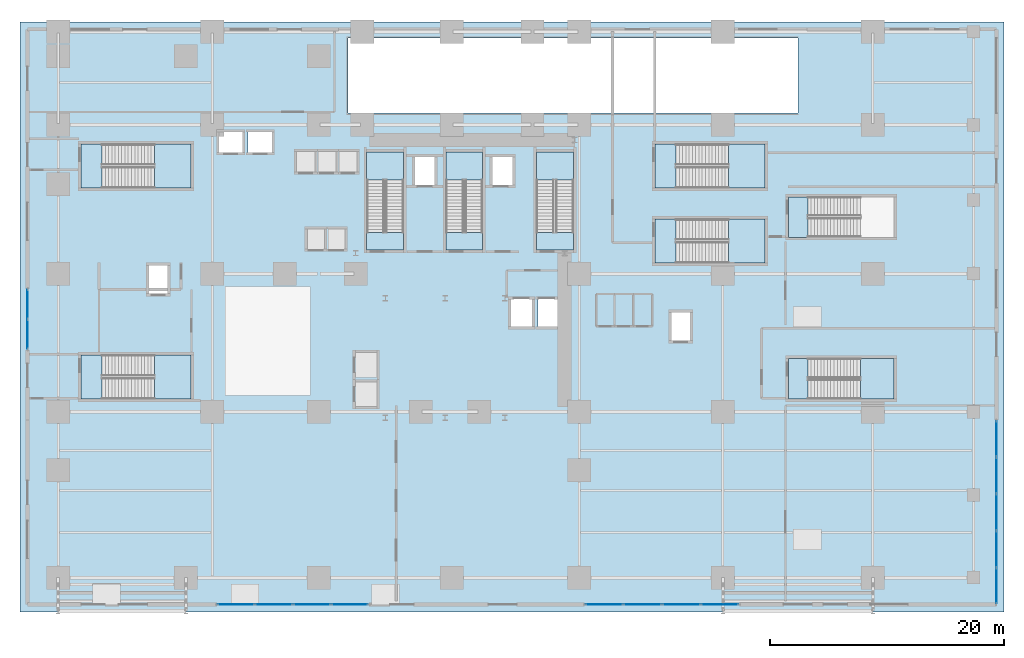
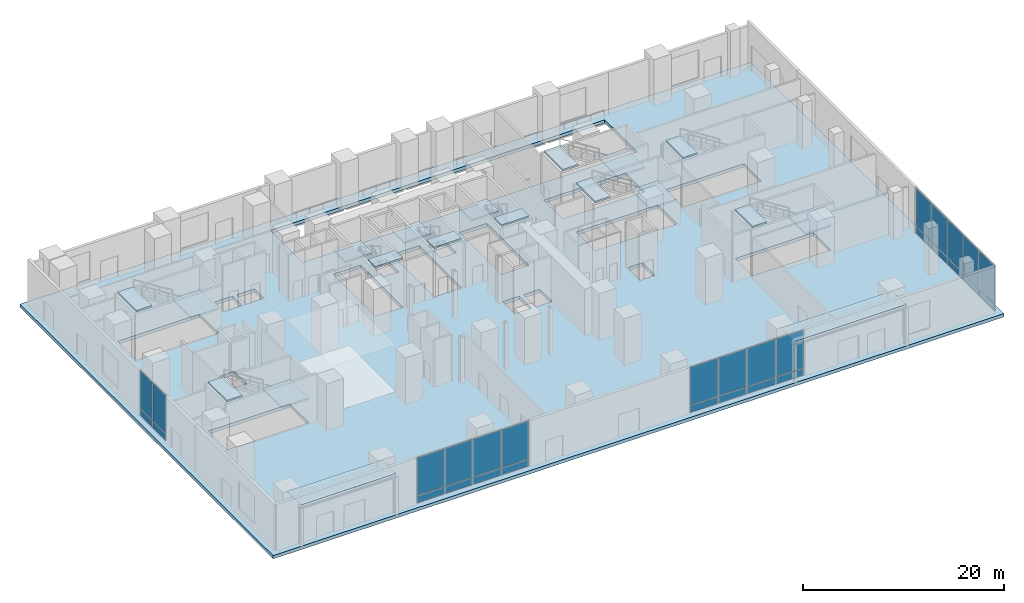
# One storey, part 9 of 25: 32 plates, 18 slabs, 13 elements without a shape of their own.
"""IFC4 building model written with IfcOpenShell, lengths in metres."""

from ifc_helpers import new_model, si_unit, direction, frame, origin, origin_2d, place, context, subcontext, project, spatial, polyline, rectangle, outline, extrude, source, transform, mapped, material, layer, layer_set, type_object, element, aggregate, save


model = new_model("IFC4")

# Units and contexts
model_context = context("Model", 3, precision=1e-05, world=origin(), true_north=direction((0.0, 1.0)))
body_context = subcontext(model_context, "Body", "Model", "MODEL_VIEW")
ifc_project = project(units=[si_unit("LENGTHUNIT", "METRE"), si_unit("AREAUNIT", "SQUARE_METRE"), si_unit("VOLUMEUNIT", "CUBIC_METRE"), si_unit("PLANEANGLEUNIT", "RADIAN"), si_unit("MASSUNIT", "GRAM", prefix="KILO")], contexts=[model_context])

# Site, building, storey
site_placement = place(None, origin())
site = spatial("IfcSite", under=ifc_project, at=site_placement, CompositionType="ELEMENT")
building_placement = place(site_placement, origin())
building = spatial("IfcBuilding", under=site, at=building_placement, Name="Vardaveli Station Tower", CompositionType="ELEMENT")
storey_placement = place(building_placement, origin())
storey = spatial("IfcBuildingStorey", under=building, at=storey_placement, Name="L01", CompositionType="ELEMENT", Elevation=0.0)

# Stair, slabs
ifc_material_1 = material(Name="Concrete C40/50", Category="concrete")
stair_type_1 = type_object("IfcStairType", Name="STR-CORE-1500", PredefinedType="HALF_TURN_STAIR", material=ifc_material_1)
stair_1_placement = place(storey_placement, origin())
stair_1 = element("IfcStair", 1, at=stair_1_placement, inside=storey, type_object=stair_type_1, Name="L01 ST-1", PredefinedType="HALF_TURN_STAIR")
ifc_layer_1 = layer(ifc_material_1, 0.199951171875, Name="Concrete C40/50")
ifc_layer_set_1 = layer_set([ifc_layer_1], Name="Concrete C40/50")
slab_type_1 = type_object("IfcSlabType", Name="SLB-LAND-200", PredefinedType="LANDING", material=ifc_layer_set_1)
slab_1_placement = place(storey_placement, frame((0.0, 0.0, 2.800048828125)))
slab_1 = element("IfcSlab", 2, at=slab_1_placement, type_object=slab_type_1, Name="ST-1 landing 1", PredefinedType="LANDING", context=body_context, shape_type="SweptSolid", body=[
    extrude(outline(polyline([(32.75, 36.8798828125), (32.75, 39.300048828125), (29.60009765625, 39.300048828125), (29.60009765625, 36.8798828125), (32.75, 36.8798828125)])), origin(), (0.0, 0.0, 1.0), 0.199951171875),
])
slab_2_placement = place(storey_placement, frame((0.0, 0.0, 5.800048828125)))
slab_2 = element("IfcSlab", 3, at=slab_2_placement, type_object=slab_type_1, Name="ST-1 landing 2", PredefinedType="LANDING", context=body_context, shape_type="SweptSolid", body=[
    extrude(outline(polyline([(32.75, 30.89990234375), (32.75, 32.39990234375), (29.60009765625, 32.39990234375), (29.60009765625, 30.89990234375), (32.75, 30.89990234375)])), origin(), (0.0, 0.0, 1.0), 0.199951171875),
])
aggregate(stair_1, [slab_1, slab_2])

stair_2_placement = place(storey_placement, origin())
stair_2 = element("IfcStair", 4, at=stair_2_placement, inside=storey, type_object=stair_type_1, Name="L01 ST-2", PredefinedType="HALF_TURN_STAIR")
slab_3_placement = place(storey_placement, frame((0.0, 0.0, 2.800048828125)))
slab_3 = element("IfcSlab", 5, at=slab_3_placement, type_object=slab_type_1, Name="ST-2 landing 1", PredefinedType="LANDING", context=body_context, shape_type="SweptSolid", body=[
    extrude(outline(polyline([(39.5, 36.8798828125), (39.5, 39.300048828125), (36.35009765625, 39.300048828125), (36.35009765625, 36.8798828125), (39.5, 36.8798828125)])), origin(), (0.0, 0.0, 1.0), 0.199951171875),
])
slab_4_placement = place(storey_placement, frame((0.0, 0.0, 5.800048828125)))
slab_4 = element("IfcSlab", 6, at=slab_4_placement, type_object=slab_type_1, Name="ST-2 landing 2", PredefinedType="LANDING", context=body_context, shape_type="SweptSolid", body=[
    extrude(outline(polyline([(39.5, 30.89990234375), (39.5, 32.39990234375), (36.35009765625, 32.39990234375), (36.35009765625, 30.89990234375), (39.5, 30.89990234375)])), origin(), (0.0, 0.0, 1.0), 0.199951171875),
])
aggregate(stair_2, [slab_3, slab_4])

stair_3_placement = place(storey_placement, origin())
stair_3 = element("IfcStair", 7, at=stair_3_placement, inside=storey, type_object=stair_type_1, Name="L01 ST-3", PredefinedType="HALF_TURN_STAIR")
slab_5_placement = place(storey_placement, frame((0.0, 0.0, 2.800048828125)))
slab_5 = element("IfcSlab", 8, at=slab_5_placement, type_object=slab_type_1, Name="ST-3 landing 1", PredefinedType="LANDING", context=body_context, shape_type="SweptSolid", body=[
    extrude(outline(polyline([(47.25, 36.8798828125), (47.25, 39.300048828125), (44.10009765625, 39.300048828125), (44.10009765625, 36.8798828125), (47.25, 36.8798828125)])), origin(), (0.0, 0.0, 1.0), 0.199951171875),
])
slab_6_placement = place(storey_placement, frame((0.0, 0.0, 5.800048828125)))
slab_6 = element("IfcSlab", 9, at=slab_6_placement, type_object=slab_type_1, Name="ST-3 landing 2", PredefinedType="LANDING", context=body_context, shape_type="SweptSolid", body=[
    extrude(outline(polyline([(47.25, 30.89990234375), (47.25, 32.39990234375), (44.10009765625, 32.39990234375), (44.10009765625, 30.89990234375), (47.25, 30.89990234375)])), origin(), (0.0, 0.0, 1.0), 0.199951171875),
])
aggregate(stair_3, [slab_5, slab_6])

stair_type_2 = type_object("IfcStairType", Name="STR-POD-1800", PredefinedType="HALF_TURN_STAIR", material=ifc_material_1)
stair_4_placement = place(storey_placement, origin())
stair_4 = element("IfcStair", 10, at=stair_4_placement, inside=storey, type_object=stair_type_2, Name="L01 ST-S1", PredefinedType="HALF_TURN_STAIR")
slab_7_placement = place(storey_placement, frame((0.0, 0.0, 2.800048828125)))
slab_7 = element("IfcSlab", 11, at=slab_7_placement, type_object=slab_type_1, Name="ST-S1 landing 1", PredefinedType="LANDING", context=body_context, shape_type="SweptSolid", body=[
    extrude(outline(polyline([(11.47998046875, 18.199951171875), (14.60009765625, 18.199951171875), (14.60009765625, 21.949951171875), (11.47998046875, 21.949951171875), (11.47998046875, 18.199951171875)])), origin(), (0.0, 0.0, 1.0), 0.199951171875),
])
slab_8_placement = place(storey_placement, frame((0.0, 0.0, 5.800048828125)))
slab_8 = element("IfcSlab", 12, at=slab_8_placement, type_object=slab_type_1, Name="ST-S1 landing 2", PredefinedType="LANDING", context=body_context, shape_type="SweptSolid", body=[
    extrude(outline(polyline([(5.199951171875, 18.199951171875), (7.0, 18.199951171875), (7.0, 21.949951171875), (5.199951171875, 21.949951171875), (5.199951171875, 18.199951171875)])), origin(), (0.0, 0.0, 1.0), 0.199951171875),
])
aggregate(stair_4, [slab_7, slab_8])

stair_5_placement = place(storey_placement, origin())
stair_5 = element("IfcStair", 13, at=stair_5_placement, inside=storey, type_object=stair_type_2, Name="L01 ST-S2", PredefinedType="HALF_TURN_STAIR")
slab_9_placement = place(storey_placement, frame((0.0, 0.0, 2.800048828125)))
slab_9 = element("IfcSlab", 14, at=slab_9_placement, type_object=slab_type_1, Name="ST-S2 landing 1", PredefinedType="LANDING", context=body_context, shape_type="SweptSolid", body=[
    extrude(outline(polyline([(60.47998046875, 29.800048828125), (63.60009765625, 29.800048828125), (63.60009765625, 33.550048828125), (60.47998046875, 33.550048828125), (60.47998046875, 29.800048828125)])), origin(), (0.0, 0.0, 1.0), 0.199951171875),
])
slab_10_placement = place(storey_placement, frame((0.0, 0.0, 5.800048828125)))
slab_10 = element("IfcSlab", 15, at=slab_10_placement, type_object=slab_type_1, Name="ST-S2 landing 2", PredefinedType="LANDING", context=body_context, shape_type="SweptSolid", body=[
    extrude(outline(polyline([(54.199951171875, 29.800048828125), (56.0, 29.800048828125), (56.0, 33.550048828125), (54.199951171875, 33.550048828125), (54.199951171875, 29.800048828125)])), origin(), (0.0, 0.0, 1.0), 0.199951171875),
])
aggregate(stair_5, [slab_9, slab_10])

stair_6_placement = place(storey_placement, origin())
stair_6 = element("IfcStair", 16, at=stair_6_placement, inside=storey, type_object=stair_type_2, Name="L01 ST-P1", PredefinedType="HALF_TURN_STAIR")
slab_11_placement = place(storey_placement, frame((0.0, 0.0, 2.800048828125)))
slab_11 = element("IfcSlab", 17, at=slab_11_placement, type_object=slab_type_1, Name="ST-P1 landing 1", PredefinedType="LANDING", context=body_context, shape_type="SweptSolid", body=[
    extrude(outline(polyline([(11.47998046875, 36.199951171875), (14.60009765625, 36.199951171875), (14.60009765625, 39.949951171875), (11.47998046875, 39.949951171875), (11.47998046875, 36.199951171875)])), origin(), (0.0, 0.0, 1.0), 0.199951171875),
])
slab_12_placement = place(storey_placement, frame((0.0, 0.0, 5.800048828125)))
slab_12 = element("IfcSlab", 18, at=slab_12_placement, type_object=slab_type_1, Name="ST-P1 landing 2", PredefinedType="LANDING", context=body_context, shape_type="SweptSolid", body=[
    extrude(outline(polyline([(5.199951171875, 36.199951171875), (7.0, 36.199951171875), (7.0, 39.949951171875), (5.199951171875, 39.949951171875), (5.199951171875, 36.199951171875)])), origin(), (0.0, 0.0, 1.0), 0.199951171875),
])
aggregate(stair_6, [slab_11, slab_12])

stair_7_placement = place(storey_placement, origin())
stair_7 = element("IfcStair", 19, at=stair_7_placement, inside=storey, type_object=stair_type_2, Name="L01 ST-P2", PredefinedType="HALF_TURN_STAIR")
slab_13_placement = place(storey_placement, frame((0.0, 0.0, 2.800048828125)))
slab_13 = element("IfcSlab", 20, at=slab_13_placement, type_object=slab_type_1, Name="ST-P2 landing 1", PredefinedType="LANDING", context=body_context, shape_type="SweptSolid", body=[
    extrude(outline(polyline([(60.47998046875, 36.199951171875), (63.60009765625, 36.199951171875), (63.60009765625, 39.949951171875), (60.47998046875, 39.949951171875), (60.47998046875, 36.199951171875)])), origin(), (0.0, 0.0, 1.0), 0.199951171875),
])
slab_14_placement = place(storey_placement, frame((0.0, 0.0, 5.800048828125)))
slab_14 = element("IfcSlab", 21, at=slab_14_placement, type_object=slab_type_1, Name="ST-P2 landing 2", PredefinedType="LANDING", context=body_context, shape_type="SweptSolid", body=[
    extrude(outline(polyline([(54.199951171875, 36.199951171875), (56.0, 36.199951171875), (56.0, 39.949951171875), (54.199951171875, 39.949951171875), (54.199951171875, 36.199951171875)])), origin(), (0.0, 0.0, 1.0), 0.199951171875),
])
aggregate(stair_7, [slab_13, slab_14])

ifc_material_2 = material(Name="Structural steel S355J2", Category="steel")
stair_type_3 = type_object("IfcStairType", Name="STR-FEAT-1650", PredefinedType="STRAIGHT_RUN_STAIR", material=ifc_material_2)
stair_8_placement = place(storey_placement, origin())
stair_8 = element("IfcStair", 22, at=stair_8_placement, inside=storey, type_object=stair_type_3, Name="L01 ST-C1", PredefinedType="HALF_TURN_STAIR")
slab_15_placement = place(storey_placement, frame((0.0, 0.0, 2.800048828125)))
slab_15 = element("IfcSlab", 23, at=slab_15_placement, type_object=slab_type_1, Name="ST-C1 landing 1", PredefinedType="LANDING", context=body_context, shape_type="SweptSolid", body=[
    extrude(outline(polyline([(71.72998046875, 18.199951171875), (74.60009765625, 18.199951171875), (74.60009765625, 21.64990234375), (71.72998046875, 21.64990234375), (71.72998046875, 18.199951171875)])), origin(), (0.0, 0.0, 1.0), 0.199951171875),
])
slab_16_placement = place(storey_placement, frame((0.0, 0.0, 5.800048828125)))
slab_16 = element("IfcSlab", 24, at=slab_16_placement, type_object=slab_type_1, Name="ST-C1 landing 2", PredefinedType="LANDING", context=body_context, shape_type="SweptSolid", body=[
    extrude(outline(polyline([(65.60009765625, 18.199951171875), (67.25, 18.199951171875), (67.25, 21.64990234375), (65.60009765625, 21.64990234375), (65.60009765625, 18.199951171875)])), origin(), (0.0, 0.0, 1.0), 0.199951171875),
])
aggregate(stair_8, [slab_15, slab_16])

# Stair, slab
stair_9_placement = place(storey_placement, origin())
stair_9 = element("IfcStair", 25, at=stair_9_placement, inside=storey, type_object=stair_type_3, Name="L01 ST-C2", PredefinedType="HALF_TURN_STAIR")
slab_17_placement = place(storey_placement, frame((0.0, 0.0, 5.800048828125)))
slab_17 = element("IfcSlab", 26, at=slab_17_placement, type_object=slab_type_1, Name="ST-C2 landing 2", PredefinedType="LANDING", context=body_context, shape_type="SweptSolid", body=[
    extrude(outline(polyline([(65.60009765625, 32.0), (67.25, 32.0), (67.25, 35.449951171875), (65.60009765625, 35.449951171875), (65.60009765625, 32.0)])), origin(), (0.0, 0.0, 1.0), 0.199951171875),
])
aggregate(stair_9, [slab_17])

# Slab
ifc_material_3 = material(Name="Concrete C50/60", Category="concrete")
ifc_layer_2 = layer(ifc_material_3, 0.39990234375, Name="Concrete C50/60")
ifc_layer_set_2 = layer_set([ifc_layer_2], Name="Concrete C50/60")
slab_type_2 = type_object("IfcSlabType", Name="SLB-TRANS-400", PredefinedType="FLOOR", material=ifc_layer_set_2)
slab_18_placement = place(storey_placement, frame((0.0, 0.0, -0.39990234375)))
element("IfcSlab", 27, at=slab_18_placement, inside=storey, type_object=slab_type_2, Name="SLB-L01-MAIN", PredefinedType="FLOOR", context=body_context, shape_type="SweptSolid", body=[
    extrude(outline(polyline([(0.0, 0.0), (84.0, 0.0), (84.0, 50.39990234375), (0.0, 50.39990234375), (0.0, 0.0)]), holes=[polyline([(32.75, 30.89990234375), (32.75, 39.300048828125), (29.60009765625, 39.300048828125), (29.60009765625, 30.89990234375), (32.75, 30.89990234375)]), polyline([(39.5, 30.89990234375), (39.5, 39.300048828125), (36.35009765625, 39.300048828125), (36.35009765625, 30.89990234375), (39.5, 30.89990234375)]), polyline([(47.25, 30.89990234375), (47.25, 39.300048828125), (44.10009765625, 39.300048828125), (44.10009765625, 30.89990234375), (47.25, 30.89990234375)]), polyline([(5.199951171875, 18.199951171875), (14.60009765625, 18.199951171875), (14.60009765625, 21.949951171875), (5.199951171875, 21.949951171875), (5.199951171875, 18.199951171875)]), polyline([(54.199951171875, 29.800048828125), (63.60009765625, 29.800048828125), (63.60009765625, 33.550048828125), (54.199951171875, 33.550048828125), (54.199951171875, 29.800048828125)]), polyline([(5.199951171875, 36.199951171875), (14.60009765625, 36.199951171875), (14.60009765625, 39.949951171875), (5.199951171875, 39.949951171875), (5.199951171875, 36.199951171875)]), polyline([(54.199951171875, 36.199951171875), (63.60009765625, 36.199951171875), (63.60009765625, 39.949951171875), (54.199951171875, 39.949951171875), (54.199951171875, 36.199951171875)]), polyline([(65.60009765625, 18.199951171875), (74.60009765625, 18.199951171875), (74.60009765625, 21.64990234375), (65.60009765625, 21.64990234375), (65.60009765625, 18.199951171875)]), polyline([(65.60009765625, 32.0), (74.60009765625, 32.0), (74.60009765625, 35.449951171875), (65.60009765625, 35.449951171875), (65.60009765625, 32.0)]), polyline([(10.9599609375, 27.159912109375), (12.639892578125, 27.159912109375), (12.639892578125, 29.639892578125), (10.9599609375, 29.639892578125), (10.9599609375, 27.159912109375)]), polyline([(55.56005859375, 23.159912109375), (57.239990234375, 23.159912109375), (57.239990234375, 25.639892578125), (55.56005859375, 25.639892578125), (55.56005859375, 23.159912109375)]), polyline([(16.9599609375, 39.18505859375), (19.0400390625, 39.18505859375), (19.0400390625, 41.014892578125), (16.9599609375, 41.014892578125), (16.9599609375, 39.18505859375)]), polyline([(19.4599609375, 39.18505859375), (21.5400390625, 39.18505859375), (21.5400390625, 41.014892578125), (19.4599609375, 41.014892578125), (19.4599609375, 39.18505859375)]), polyline([(33.659912109375, 36.409912109375), (35.43994140625, 36.409912109375), (35.43994140625, 38.889892578125), (33.659912109375, 38.889892578125), (33.659912109375, 36.409912109375)]), polyline([(40.31005859375, 36.409912109375), (42.090087890625, 36.409912109375), (42.090087890625, 38.889892578125), (40.31005859375, 38.889892578125), (40.31005859375, 36.409912109375)]), polyline([(41.860107421875, 24.360107421875), (43.739990234375, 24.360107421875), (43.739990234375, 26.739990234375), (41.860107421875, 26.739990234375), (41.860107421875, 24.360107421875)]), polyline([(44.2099609375, 24.360107421875), (46.090087890625, 24.360107421875), (46.090087890625, 26.739990234375), (44.2099609375, 26.739990234375), (44.2099609375, 24.360107421875)]), polyline([(28.0, 42.60009765625), (66.39990234375, 42.60009765625), (66.39990234375, 49.0), (28.0, 49.0), (28.0, 42.60009765625)])]), origin(), (0.0, 0.0, 1.0), 0.39990234375),
])

# Curtain wall, plates
ifc_material_4 = material(Name="Travertine stone and solar-control glass", Category="masonry")
curtain_wall_type = type_object("IfcCurtainWallType", Name="CW-SYS-1", PredefinedType="NOTDEFINED", material=ifc_material_4)
curtain_wall_1_placement = place(storey_placement, origin())
curtain_wall_1 = element("IfcCurtainWall", 28, at=curtain_wall_1_placement, inside=storey, type_object=curtain_wall_type, Name="CW-L01-S2", PredefinedType="NOTDEFINED")
ifc_material_5 = material(Name="Double-glazed low-E solar-control glass", Category="glass")
ifc_layer_3 = layer(ifc_material_5, 0.048095703125, Name="Double-glazed low-E solar-control glass")
ifc_layer_set_3 = layer_set([ifc_layer_3], Name="Double-glazed low-E solar-control glass")
plate_type_1 = type_object("IfcPlateType", Name="CW-SYS-1-PAN", PredefinedType="CURTAIN_PANEL", material=ifc_layer_set_3)
shared_shape_1 = source(origin(), body_context, "Body", "SweptSolid", [
    extrude(rectangle(XDim=3.107421875, YDim=0.048095703125, at=origin_2d()), origin(), (0.0, 0.0, 1.0), 0.8076171875),
])
plate_1_placement = place(storey_placement, frame((18.44873046875, 0.64990234375, 0.094970703125), z_axis=(0.0, 0.0, 1.0), x_axis=(1.0, 0.0, 0.0)))
plate_1 = element("IfcPlate", 29, at=plate_1_placement, type_object=plate_type_1, Name="CW-1 panel 1.1", PredefinedType="CURTAIN_PANEL", context=body_context, shape_type="MappedRepresentation", body=[
    mapped(shared_shape_1, transform((0.0, 0.0, 0.0), scale=1.0)),
])
plate_2_placement = place(storey_placement, frame((28.1513671875, 0.64990234375, 0.094970703125), z_axis=(0.0, 0.0, 1.0), x_axis=(1.0, 0.0, 0.0)))
plate_2 = element("IfcPlate", 30, at=plate_2_placement, type_object=plate_type_1, Name="CW-1 panel 4.1", PredefinedType="CURTAIN_PANEL", context=body_context, shape_type="MappedRepresentation", body=[
    mapped(shared_shape_1, transform((0.0, 0.0, 0.0), scale=1.0)),
])
shared_shape_2 = source(origin(), body_context, "Body", "SweptSolid", [
    extrude(rectangle(XDim=3.107421875, YDim=0.048095703125, at=origin_2d()), origin(), (0.0, 0.0, 1.0), 4.58740234375),
])
plate_3_placement = place(storey_placement, frame((18.44873046875, 0.64990234375, 0.99755859375), z_axis=(0.0, 0.0, 1.0), x_axis=(1.0, 0.0, 0.0)))
plate_3 = element("IfcPlate", 31, at=plate_3_placement, type_object=plate_type_1, Name="CW-1 panel 1.2", PredefinedType="CURTAIN_PANEL", context=body_context, shape_type="MappedRepresentation", body=[
    mapped(shared_shape_2, transform((0.0, 0.0, 0.0), scale=1.0)),
])
plate_4_placement = place(storey_placement, frame((28.1513671875, 0.64990234375, 0.99755859375), z_axis=(0.0, 0.0, 1.0), x_axis=(1.0, 0.0, 0.0)))
plate_4 = element("IfcPlate", 32, at=plate_4_placement, type_object=plate_type_1, Name="CW-1 panel 4.2", PredefinedType="CURTAIN_PANEL", context=body_context, shape_type="MappedRepresentation", body=[
    mapped(shared_shape_2, transform((0.0, 0.0, 0.0), scale=1.0)),
])
shared_shape_3 = source(origin(), body_context, "Body", "SweptSolid", [
    extrude(rectangle(XDim=3.155029296875, YDim=0.048095703125, at=origin_2d()), origin(), (0.0, 0.0, 1.0), 0.8076171875),
])
plate_5_placement = place(storey_placement, frame((21.675048828125, 0.64990234375, 0.094970703125), z_axis=(0.0, 0.0, 1.0), x_axis=(1.0, 0.0, 0.0)))
plate_5 = element("IfcPlate", 33, at=plate_5_placement, type_object=plate_type_1, Name="CW-1 panel 2.1", PredefinedType="CURTAIN_PANEL", context=body_context, shape_type="MappedRepresentation", body=[
    mapped(shared_shape_3, transform((0.0, 0.0, 0.0), scale=1.0)),
])
plate_6_placement = place(storey_placement, frame((24.925048828125, 0.64990234375, 0.094970703125), z_axis=(0.0, 0.0, 1.0), x_axis=(1.0, 0.0, 0.0)))
plate_6 = element("IfcPlate", 34, at=plate_6_placement, type_object=plate_type_1, Name="CW-1 panel 3.1", PredefinedType="CURTAIN_PANEL", context=body_context, shape_type="MappedRepresentation", body=[
    mapped(shared_shape_3, transform((0.0, 0.0, 0.0), scale=1.0)),
])
shared_shape_4 = source(origin(), body_context, "Body", "SweptSolid", [
    extrude(rectangle(XDim=3.155029296875, YDim=0.048095703125, at=origin_2d()), origin(), (0.0, 0.0, 1.0), 4.58740234375),
])
plate_7_placement = place(storey_placement, frame((21.675048828125, 0.64990234375, 0.99755859375), z_axis=(0.0, 0.0, 1.0), x_axis=(1.0, 0.0, 0.0)))
plate_7 = element("IfcPlate", 35, at=plate_7_placement, type_object=plate_type_1, Name="CW-1 panel 2.2", PredefinedType="CURTAIN_PANEL", context=body_context, shape_type="MappedRepresentation", body=[
    mapped(shared_shape_4, transform((0.0, 0.0, 0.0), scale=1.0)),
])
plate_8_placement = place(storey_placement, frame((24.925048828125, 0.64990234375, 0.99755859375), z_axis=(0.0, 0.0, 1.0), x_axis=(1.0, 0.0, 0.0)))
plate_8 = element("IfcPlate", 36, at=plate_8_placement, type_object=plate_type_1, Name="CW-1 panel 3.2", PredefinedType="CURTAIN_PANEL", context=body_context, shape_type="MappedRepresentation", body=[
    mapped(shared_shape_4, transform((0.0, 0.0, 0.0), scale=1.0)),
])
aggregate(curtain_wall_1, [plate_1, plate_3, plate_5, plate_7, plate_6, plate_8, plate_2, plate_4])

curtain_wall_2_placement = place(storey_placement, origin())
curtain_wall_2 = element("IfcCurtainWall", 37, at=curtain_wall_2_placement, inside=storey, type_object=curtain_wall_type, Name="CW-L01-S4", PredefinedType="NOTDEFINED")
shared_shape_5 = source(origin(), body_context, "Body", "SweptSolid", [
    extrude(rectangle(XDim=3.157470703125, YDim=0.048095703125, at=origin_2d()), origin(), (0.0, 0.0, 1.0), 0.8076171875),
])
plate_9_placement = place(storey_placement, frame((49.873779296875, 0.64990234375, 0.094970703125), z_axis=(0.0, 0.0, 1.0), x_axis=(1.0, 0.0, 0.0)))
plate_9 = element("IfcPlate", 38, at=plate_9_placement, type_object=plate_type_1, Name="CW-1 panel 1.1", PredefinedType="CURTAIN_PANEL", context=body_context, shape_type="MappedRepresentation", body=[
    mapped(shared_shape_5, transform((0.0, 0.0, 0.0), scale=1.0)),
])
plate_10_placement = place(storey_placement, frame((59.726318359375, 0.64990234375, 0.094970703125), z_axis=(0.0, 0.0, 1.0), x_axis=(1.0, 0.0, 0.0)))
plate_10 = element("IfcPlate", 39, at=plate_10_placement, type_object=plate_type_1, Name="CW-1 panel 4.1", PredefinedType="CURTAIN_PANEL", context=body_context, shape_type="MappedRepresentation", body=[
    mapped(shared_shape_5, transform((0.0, 0.0, 0.0), scale=1.0)),
])
shared_shape_6 = source(origin(), body_context, "Body", "SweptSolid", [
    extrude(rectangle(XDim=3.157470703125, YDim=0.048095703125, at=origin_2d()), origin(), (0.0, 0.0, 1.0), 4.58740234375),
])
plate_11_placement = place(storey_placement, frame((49.873779296875, 0.64990234375, 0.99755859375), z_axis=(0.0, 0.0, 1.0), x_axis=(1.0, 0.0, 0.0)))
plate_11 = element("IfcPlate", 40, at=plate_11_placement, type_object=plate_type_1, Name="CW-1 panel 1.2", PredefinedType="CURTAIN_PANEL", context=body_context, shape_type="MappedRepresentation", body=[
    mapped(shared_shape_6, transform((0.0, 0.0, 0.0), scale=1.0)),
])
plate_12_placement = place(storey_placement, frame((59.726318359375, 0.64990234375, 0.99755859375), z_axis=(0.0, 0.0, 1.0), x_axis=(1.0, 0.0, 0.0)))
plate_12 = element("IfcPlate", 41, at=plate_12_placement, type_object=plate_type_1, Name="CW-1 panel 4.2", PredefinedType="CURTAIN_PANEL", context=body_context, shape_type="MappedRepresentation", body=[
    mapped(shared_shape_6, transform((0.0, 0.0, 0.0), scale=1.0)),
])
shared_shape_7 = source(origin(), body_context, "Body", "SweptSolid", [
    extrude(rectangle(XDim=3.205078125, YDim=0.048095703125, at=origin_2d()), origin(), (0.0, 0.0, 1.0), 0.8076171875),
])
plate_13_placement = place(storey_placement, frame((53.14990234375, 0.64990234375, 0.094970703125), z_axis=(0.0, 0.0, 1.0), x_axis=(1.0, 0.0, 0.0)))
plate_13 = element("IfcPlate", 42, at=plate_13_placement, type_object=plate_type_1, Name="CW-1 panel 2.1", PredefinedType="CURTAIN_PANEL", context=body_context, shape_type="MappedRepresentation", body=[
    mapped(shared_shape_7, transform((0.0, 0.0, 0.0), scale=1.0)),
])
plate_14_placement = place(storey_placement, frame((56.449951171875, 0.64990234375, 0.094970703125), z_axis=(0.0, 0.0, 1.0), x_axis=(1.0, 0.0, 0.0)))
plate_14 = element("IfcPlate", 43, at=plate_14_placement, type_object=plate_type_1, Name="CW-1 panel 3.1", PredefinedType="CURTAIN_PANEL", context=body_context, shape_type="MappedRepresentation", body=[
    mapped(shared_shape_7, transform((0.0, 0.0, 0.0), scale=1.0)),
])
shared_shape_8 = source(origin(), body_context, "Body", "SweptSolid", [
    extrude(rectangle(XDim=3.205078125, YDim=0.048095703125, at=origin_2d()), origin(), (0.0, 0.0, 1.0), 4.58740234375),
])
plate_15_placement = place(storey_placement, frame((53.14990234375, 0.64990234375, 0.99755859375), z_axis=(0.0, 0.0, 1.0), x_axis=(1.0, 0.0, 0.0)))
plate_15 = element("IfcPlate", 44, at=plate_15_placement, type_object=plate_type_1, Name="CW-1 panel 2.2", PredefinedType="CURTAIN_PANEL", context=body_context, shape_type="MappedRepresentation", body=[
    mapped(shared_shape_8, transform((0.0, 0.0, 0.0), scale=1.0)),
])
plate_16_placement = place(storey_placement, frame((56.449951171875, 0.64990234375, 0.99755859375), z_axis=(0.0, 0.0, 1.0), x_axis=(1.0, 0.0, 0.0)))
plate_16 = element("IfcPlate", 45, at=plate_16_placement, type_object=plate_type_1, Name="CW-1 panel 3.2", PredefinedType="CURTAIN_PANEL", context=body_context, shape_type="MappedRepresentation", body=[
    mapped(shared_shape_8, transform((0.0, 0.0, 0.0), scale=1.0)),
])
aggregate(curtain_wall_2, [plate_9, plate_11, plate_13, plate_15, plate_14, plate_16, plate_10, plate_12])

curtain_wall_3_placement = place(storey_placement, origin())
curtain_wall_3 = element("IfcCurtainWall", 46, at=curtain_wall_3_placement, inside=storey, type_object=curtain_wall_type, Name="CW-L01-W3", PredefinedType="NOTDEFINED")
shared_shape_9 = source(origin(), body_context, "Body", "SweptSolid", [
    extrude(rectangle(XDim=2.45751953125, YDim=0.048095703125, at=origin_2d()), origin(), (0.0, 0.0, 1.0), 0.8076171875),
])
plate_17_placement = place(storey_placement, frame((0.64990234375, 26.2763671875, 0.094970703125), z_axis=(0.0, 0.0, 1.0), x_axis=(0.0, -1.0, 0.0)))
plate_17 = element("IfcPlate", 47, at=plate_17_placement, type_object=plate_type_1, Name="CW-1 panel 1.1", PredefinedType="CURTAIN_PANEL", context=body_context, shape_type="MappedRepresentation", body=[
    mapped(shared_shape_9, transform((0.0, 0.0, 0.0), scale=1.0)),
])
plate_18_placement = place(storey_placement, frame((0.64990234375, 23.7236328125, 0.094970703125), z_axis=(0.0, 0.0, 1.0), x_axis=(0.0, -1.0, 0.0)))
plate_18 = element("IfcPlate", 48, at=plate_18_placement, type_object=plate_type_1, Name="CW-1 panel 2.1", PredefinedType="CURTAIN_PANEL", context=body_context, shape_type="MappedRepresentation", body=[
    mapped(shared_shape_9, transform((0.0, 0.0, 0.0), scale=1.0)),
])
shared_shape_10 = source(origin(), body_context, "Body", "SweptSolid", [
    extrude(rectangle(XDim=2.45751953125, YDim=0.048095703125, at=origin_2d()), origin(), (0.0, 0.0, 1.0), 4.58740234375),
])
plate_19_placement = place(storey_placement, frame((0.64990234375, 26.2763671875, 0.99755859375), z_axis=(0.0, 0.0, 1.0), x_axis=(0.0, -1.0, 0.0)))
plate_19 = element("IfcPlate", 49, at=plate_19_placement, type_object=plate_type_1, Name="CW-1 panel 1.2", PredefinedType="CURTAIN_PANEL", context=body_context, shape_type="MappedRepresentation", body=[
    mapped(shared_shape_10, transform((0.0, 0.0, 0.0), scale=1.0)),
])
plate_20_placement = place(storey_placement, frame((0.64990234375, 23.7236328125, 0.99755859375), z_axis=(0.0, 0.0, 1.0), x_axis=(0.0, -1.0, 0.0)))
plate_20 = element("IfcPlate", 50, at=plate_20_placement, type_object=plate_type_1, Name="CW-1 panel 2.2", PredefinedType="CURTAIN_PANEL", context=body_context, shape_type="MappedRepresentation", body=[
    mapped(shared_shape_10, transform((0.0, 0.0, 0.0), scale=1.0)),
])
aggregate(curtain_wall_3, [plate_17, plate_19, plate_18, plate_20])

curtain_wall_4_placement = place(storey_placement, origin())
curtain_wall_4 = element("IfcCurtainWall", 51, at=curtain_wall_4_placement, inside=storey, type_object=curtain_wall_type, Name="CW-L01-E1", PredefinedType="NOTDEFINED")
shared_shape_11 = source(origin(), body_context, "Body", "SweptSolid", [
    extrude(rectangle(XDim=3.007568359375, YDim=0.048095703125, at=origin_2d()), origin(), (0.0, 0.0, 1.0), 0.8076171875),
])
plate_21_placement = place(storey_placement, frame((83.35009765625, 2.248779296875, 0.094970703125), z_axis=(0.0, 0.0, 1.0), x_axis=(0.0, 1.0, 0.0)))
plate_21 = element("IfcPlate", 52, at=plate_21_placement, type_object=plate_type_1, Name="CW-1 panel 1.1", PredefinedType="CURTAIN_PANEL", context=body_context, shape_type="MappedRepresentation", body=[
    mapped(shared_shape_11, transform((0.0, 0.0, 0.0), scale=1.0)),
])
plate_22_placement = place(storey_placement, frame((83.35009765625, 14.80126953125, 0.094970703125), z_axis=(0.0, 0.0, 1.0), x_axis=(0.0, 1.0, 0.0)))
plate_22 = element("IfcPlate", 53, at=plate_22_placement, type_object=plate_type_1, Name="CW-1 panel 5.1", PredefinedType="CURTAIN_PANEL", context=body_context, shape_type="MappedRepresentation", body=[
    mapped(shared_shape_11, transform((0.0, 0.0, 0.0), scale=1.0)),
])
shared_shape_12 = source(origin(), body_context, "Body", "SweptSolid", [
    extrude(rectangle(XDim=3.007568359375, YDim=0.048095703125, at=origin_2d()), origin(), (0.0, 0.0, 1.0), 4.58740234375),
])
plate_23_placement = place(storey_placement, frame((83.35009765625, 2.248779296875, 0.99755859375), z_axis=(0.0, 0.0, 1.0), x_axis=(0.0, 1.0, 0.0)))
plate_23 = element("IfcPlate", 54, at=plate_23_placement, type_object=plate_type_1, Name="CW-1 panel 1.2", PredefinedType="CURTAIN_PANEL", context=body_context, shape_type="MappedRepresentation", body=[
    mapped(shared_shape_12, transform((0.0, 0.0, 0.0), scale=1.0)),
])
plate_24_placement = place(storey_placement, frame((83.35009765625, 14.80126953125, 0.99755859375), z_axis=(0.0, 0.0, 1.0), x_axis=(0.0, 1.0, 0.0)))
plate_24 = element("IfcPlate", 55, at=plate_24_placement, type_object=plate_type_1, Name="CW-1 panel 5.2", PredefinedType="CURTAIN_PANEL", context=body_context, shape_type="MappedRepresentation", body=[
    mapped(shared_shape_12, transform((0.0, 0.0, 0.0), scale=1.0)),
])
shared_shape_13 = source(origin(), body_context, "Body", "SweptSolid", [
    extrude(rectangle(XDim=3.054931640625, YDim=0.048095703125, at=origin_2d()), origin(), (0.0, 0.0, 1.0), 0.8076171875),
])
plate_25_placement = place(storey_placement, frame((83.35009765625, 5.375, 0.094970703125), z_axis=(0.0, 0.0, 1.0), x_axis=(0.0, 1.0, 0.0)))
plate_25 = element("IfcPlate", 56, at=plate_25_placement, type_object=plate_type_1, Name="CW-1 panel 2.1", PredefinedType="CURTAIN_PANEL", context=body_context, shape_type="MappedRepresentation", body=[
    mapped(shared_shape_13, transform((0.0, 0.0, 0.0), scale=1.0)),
])
plate_26_placement = place(storey_placement, frame((83.35009765625, 8.52490234375, 0.094970703125), z_axis=(0.0, 0.0, 1.0), x_axis=(0.0, 1.0, 0.0)))
plate_26 = element("IfcPlate", 57, at=plate_26_placement, type_object=plate_type_1, Name="CW-1 panel 3.1", PredefinedType="CURTAIN_PANEL", context=body_context, shape_type="MappedRepresentation", body=[
    mapped(shared_shape_13, transform((0.0, 0.0, 0.0), scale=1.0)),
])
plate_27_placement = place(storey_placement, frame((83.35009765625, 11.675048828125, 0.094970703125), z_axis=(0.0, 0.0, 1.0), x_axis=(0.0, 1.0, 0.0)))
plate_27 = element("IfcPlate", 58, at=plate_27_placement, type_object=plate_type_1, Name="CW-1 panel 4.1", PredefinedType="CURTAIN_PANEL", context=body_context, shape_type="MappedRepresentation", body=[
    mapped(shared_shape_13, transform((0.0, 0.0, 0.0), scale=1.0)),
])
shared_shape_14 = source(origin(), body_context, "Body", "SweptSolid", [
    extrude(rectangle(XDim=3.054931640625, YDim=0.048095703125, at=origin_2d()), origin(), (0.0, 0.0, 1.0), 4.58740234375),
])
plate_28_placement = place(storey_placement, frame((83.35009765625, 5.375, 0.99755859375), z_axis=(0.0, 0.0, 1.0), x_axis=(0.0, 1.0, 0.0)))
plate_28 = element("IfcPlate", 59, at=plate_28_placement, type_object=plate_type_1, Name="CW-1 panel 2.2", PredefinedType="CURTAIN_PANEL", context=body_context, shape_type="MappedRepresentation", body=[
    mapped(shared_shape_14, transform((0.0, 0.0, 0.0), scale=1.0)),
])
plate_29_placement = place(storey_placement, frame((83.35009765625, 8.52490234375, 0.99755859375), z_axis=(0.0, 0.0, 1.0), x_axis=(0.0, 1.0, 0.0)))
plate_29 = element("IfcPlate", 60, at=plate_29_placement, type_object=plate_type_1, Name="CW-1 panel 3.2", PredefinedType="CURTAIN_PANEL", context=body_context, shape_type="MappedRepresentation", body=[
    mapped(shared_shape_14, transform((0.0, 0.0, 0.0), scale=1.0)),
])
plate_30_placement = place(storey_placement, frame((83.35009765625, 11.675048828125, 0.99755859375), z_axis=(0.0, 0.0, 1.0), x_axis=(0.0, 1.0, 0.0)))
plate_30 = element("IfcPlate", 61, at=plate_30_placement, type_object=plate_type_1, Name="CW-1 panel 4.2", PredefinedType="CURTAIN_PANEL", context=body_context, shape_type="MappedRepresentation", body=[
    mapped(shared_shape_14, transform((0.0, 0.0, 0.0), scale=1.0)),
])
aggregate(curtain_wall_4, [plate_21, plate_23, plate_25, plate_28, plate_26, plate_29, plate_27, plate_30, plate_22, plate_24])

# Plates
ifc_material_6 = material(Name="Laminated canopy glass and stone trim", Category="masonry")
ifc_layer_4 = layer(ifc_material_6, 0.02392578125, Name="Laminated canopy glass and stone trim")
ifc_layer_set_4 = layer_set([ifc_layer_4], Name="Laminated canopy glass and stone trim")
plate_type_2 = type_object("IfcPlateType", Name="PLT-CANOPY-24", PredefinedType="SHEET", material=ifc_layer_set_4)
shared_shape_15 = source(origin(), body_context, "Body", "SweptSolid", [
    extrude(rectangle(XDim=10.909912109375, YDim=2.75, at=origin_2d()), origin(), (0.0, 0.0, 1.0), 0.02392578125),
])
plate_31_placement = place(storey_placement, frame((8.705078125, 1.5, 4.903076171875), z_axis=(0.0, 0.0, 1.0), x_axis=(1.0, 0.0, 0.0)))
element("IfcPlate", 62, at=plate_31_placement, inside=storey, type_object=plate_type_2, Name="CNS-S1", PredefinedType="SHEET", context=body_context, shape_type="MappedRepresentation", body=[
    mapped(shared_shape_15, transform((0.0, 0.0, 0.0), scale=1.0)),
])
shared_shape_16 = source(origin(), body_context, "Body", "SweptSolid", [
    extrude(rectangle(XDim=12.800048828125, YDim=2.75, at=origin_2d()), origin(), (0.0, 0.0, 1.0), 0.02392578125),
])
plate_32_placement = place(storey_placement, frame((66.39990234375, 1.5, 4.903076171875), z_axis=(0.0, 0.0, 1.0), x_axis=(1.0, 0.0, 0.0)))
element("IfcPlate", 63, at=plate_32_placement, inside=storey, type_object=plate_type_2, Name="CNS-S2", PredefinedType="SHEET", context=body_context, shape_type="MappedRepresentation", body=[
    mapped(shared_shape_16, transform((0.0, 0.0, 0.0), scale=1.0)),
])

save(model, "model.ifc")
